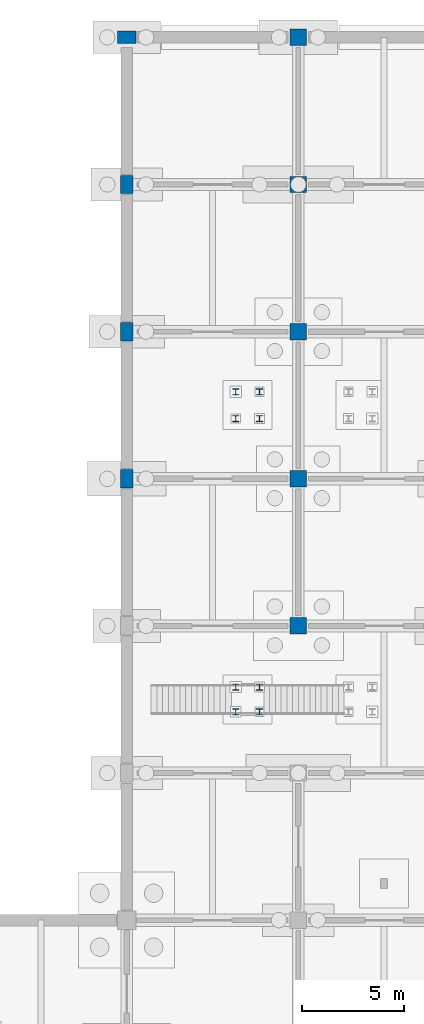
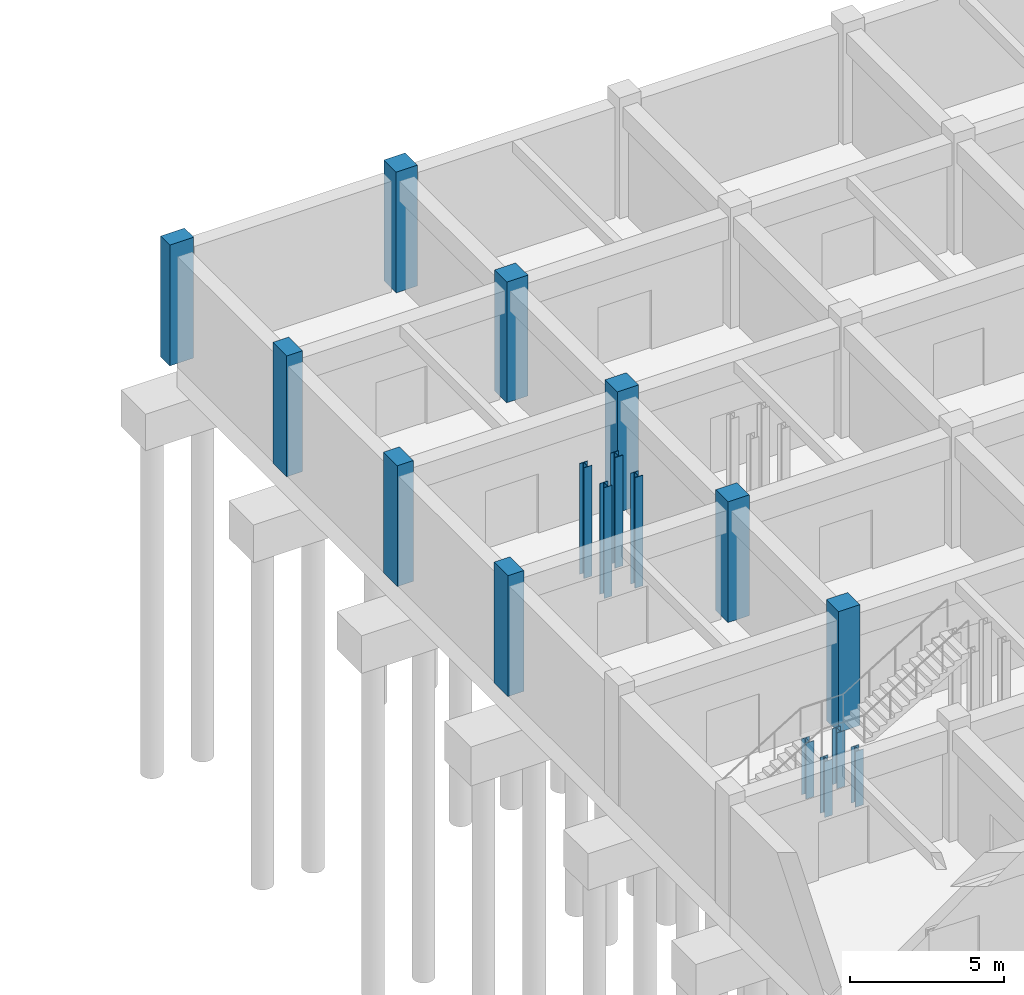
# One storey, part 12 of 38: 17 columns.
"""IFC4 building model written with IfcOpenShell, lengths in metres."""

from ifc_helpers import new_model, si_unit, derived_unit, direction, frame, origin, origin_2d, place, context, subcontext, project, spatial, rectangle, i_section, extrude, material, material_profile, profile_set, type_object, element, save


model = new_model("IFC4")

# Units and contexts
model_context = context("Model", 3, precision=1e-05, world=origin(), true_north=direction((0.0, 1.0)))
body_context = subcontext(model_context, "Body", "Model", "MODEL_VIEW")
ifc_project = project(units=[si_unit("LENGTHUNIT", "METRE"), si_unit("AREAUNIT", "SQUARE_METRE"), si_unit("VOLUMEUNIT", "CUBIC_METRE"), si_unit("PLANEANGLEUNIT", "RADIAN"), si_unit("MASSUNIT", "GRAM", prefix="KILO"), derived_unit("THERMALTRANSMITTANCEUNIT", [(si_unit("MASSUNIT", "GRAM", prefix="KILO"), 1), (si_unit("TIMEUNIT", "SECOND"), -3), (si_unit("THERMODYNAMICTEMPERATUREUNIT", "KELVIN"), -1)])], contexts=[model_context])

# Site, building, storey
site_placement = place(None, origin())
site = spatial("IfcSite", under=ifc_project, at=site_placement, CompositionType="ELEMENT")
building_placement = place(site_placement, origin())
building = spatial("IfcBuilding", under=site, at=building_placement, Name="Veldstrom Oceanarium and Marine Research Institute", CompositionType="ELEMENT")
storey_placement = place(building_placement, frame((0.0, 0.0, -9.60009765625)))
storey = spatial("IfcBuildingStorey", under=building, at=storey_placement, Name="B02", CompositionType="ELEMENT", Elevation=-9.60009765625)

# Columns
ifc_material_1 = material(Name="Concrete C50/60", Category="concrete")
ifc_material_profile_1 = material_profile(ifc_material_1, rectangle(XDim=0.800048828125, YDim=0.800048828125, at=origin_2d()), Name="RC-COL-800x800")
ifc_profile_set_1 = profile_set([ifc_material_profile_1], Name="Concrete C50/60")
column_type_1 = type_object("IfcColumnType", Name="STR-COL-C04", PredefinedType="COLUMN", material=ifc_profile_set_1)
for number, where, z_axis, x_axis, name in (
    (1, (126.0, 86.39990234375, 0.0), (0.0, 0.0, 1.0), (1.0, 0.0, 0.0), "Column C04 16/N B02"),
    (2, (126.0, 93.60009765625, 0.0), (0.0, 0.0, 1.0), (1.0, 0.0, 0.0), "Column C04 16/P B02"),
    (3, (126.0, 100.800048828125, 0.0), (0.0, 0.0, 1.0), (1.0, 0.0, 0.0), "Column C04 16/Q B02"),
    (4, (126.0, 108.0, 0.0), (0.0, 0.0, 1.0), (1.0, 0.0, 0.0), "Column C04 16/R B02"),
    (5, (126.0, 115.199951171875, 0.0), (0.0, 0.0, 1.0), (1.0, 0.0, 0.0), "Column C04 16/S B02"),
):
    element("IfcColumn", number, at=place(storey_placement, frame(where, z_axis=z_axis, x_axis=x_axis)), inside=storey, type_object=column_type_1, Name=name, PredefinedType="COLUMN", context=body_context, shape_type="SweptSolid", body=[
        extrude(rectangle(XDim=0.800048828125, YDim=0.800048828125, at=origin_2d()), origin(), (0.0, 0.0, 1.0), 4.800048828125),
    ])
ifc_material_2 = material(Name="Concrete C50/60", Category="concrete")
ifc_material_profile_2 = material_profile(ifc_material_2, rectangle(XDim=0.60009765625, YDim=0.89990234375, at=origin_2d()), Name="RC-COL-900x600")
ifc_profile_set_2 = profile_set([ifc_material_profile_2], Name="Concrete C50/60")
column_type_2 = type_object("IfcColumnType", Name="STR-COL-C11", PredefinedType="COLUMN", material=ifc_profile_set_2)
for number, where, z_axis, x_axis, name in (
    (6, (117.60009765625, 93.60009765625, 0.0), (0.0, 0.0, 1.0), (1.0, 0.0, 0.0), "Column C11 15/P B02"),
    (7, (117.60009765625, 100.800048828125, 0.0), (0.0, 0.0, 1.0), (1.0, 0.0, 0.0), "Column C11 15/Q B02"),
    (8, (117.60009765625, 108.0, 0.0), (0.0, 0.0, 1.0), (1.0, 0.0, 0.0), "Column C11 15/R B02"),
    (9, (117.60009765625, 115.199951171875, 0.0), (0.0, 0.0, 1.0), (0.0, 1.0, 0.0), "Column C11 15/S B02"),
):
    element("IfcColumn", number, at=place(storey_placement, frame(where, z_axis=z_axis, x_axis=x_axis)), inside=storey, type_object=column_type_2, Name=name, PredefinedType="COLUMN", context=body_context, shape_type="SweptSolid", body=[
        extrude(rectangle(XDim=0.60009765625, YDim=0.89990234375, at=origin_2d()), origin(), (0.0, 0.0, 1.0), 4.800048828125),
    ])
ifc_material_3 = material(Name="Steel S355JR", Category="steel")
ifc_material_profile_3 = material_profile(ifc_material_3, i_section(OverallWidth=0.300048828125, OverallDepth=0.300048828125, WebThickness=0.010986328125, FlangeThickness=0.01904296875, FilletRadius=0.027099609375, at=origin_2d()), Name="HEB 300")
ifc_profile_set_3 = profile_set([ifc_material_profile_3], Name="Steel S355JR")
column_type_3 = type_object("IfcColumnType", Name="STR-COL-C16", PredefinedType="COLUMN", material=ifc_profile_set_3)
for number, where, z_axis, x_axis, name in (
    (10, (122.93994140625, 82.195068359375, 0.0), (0.0, 0.0, 1.0), (1.0, 0.0, 0.0), "Gallery Stair MID Column ST5-03-1"),
    (11, (124.10009765625, 82.195068359375, 0.0), (0.0, 0.0, 1.0), (1.0, 0.0, 0.0), "Gallery Stair MID Column ST5-03-2"),
    (12, (122.93994140625, 83.405029296875, 0.0), (0.0, 0.0, 1.0), (1.0, 0.0, 0.0), "Gallery Stair MID Column ST5-03-3"),
    (13, (124.10009765625, 83.405029296875, 0.0), (0.0, 0.0, 1.0), (1.0, 0.0, 0.0), "Gallery Stair MID Column ST5-03-4"),
):
    element("IfcColumn", number, at=place(storey_placement, frame(where, z_axis=z_axis, x_axis=x_axis)), inside=storey, type_object=column_type_3, Name=name, PredefinedType="COLUMN", context=body_context, shape_type="SweptSolid", body=[
        extrude(i_section(OverallWidth=0.300048828125, OverallDepth=0.300048828125, WebThickness=0.010986328125, FlangeThickness=0.01904296875, FilletRadius=0.027099609375, at=origin_2d()), origin(), (0.0, 0.0, 1.0), 2.22021484375),
    ])
for number, where, z_axis, x_axis, name in (
    (14, (122.93994140625, 96.544921875, 0.0), (0.0, 0.0, 1.0), (1.0, 0.0, 0.0), "Gallery Stair MID Sub-Column ST5-06-B02-1"),
    (15, (124.10009765625, 96.544921875, 0.0), (0.0, 0.0, 1.0), (1.0, 0.0, 0.0), "Gallery Stair MID Sub-Column ST5-06-B02-2"),
    (16, (122.93994140625, 97.85498046875, 0.0), (0.0, 0.0, 1.0), (1.0, 0.0, 0.0), "Gallery Stair MID Sub-Column ST5-06-B02-3"),
    (17, (124.10009765625, 97.85498046875, 0.0), (0.0, 0.0, 1.0), (1.0, 0.0, 0.0), "Gallery Stair MID Sub-Column ST5-06-B02-4"),
):
    element("IfcColumn", number, at=place(storey_placement, frame(where, z_axis=z_axis, x_axis=x_axis)), inside=storey, type_object=column_type_3, Name=name, PredefinedType="COLUMN", context=body_context, shape_type="SweptSolid", body=[
        extrude(i_section(OverallWidth=0.300048828125, OverallDepth=0.300048828125, WebThickness=0.010986328125, FlangeThickness=0.01904296875, FilletRadius=0.027099609375, at=origin_2d()), origin(), (0.0, 0.0, 1.0), 4.400146484375),
    ])

save(model, "model.ifc")
